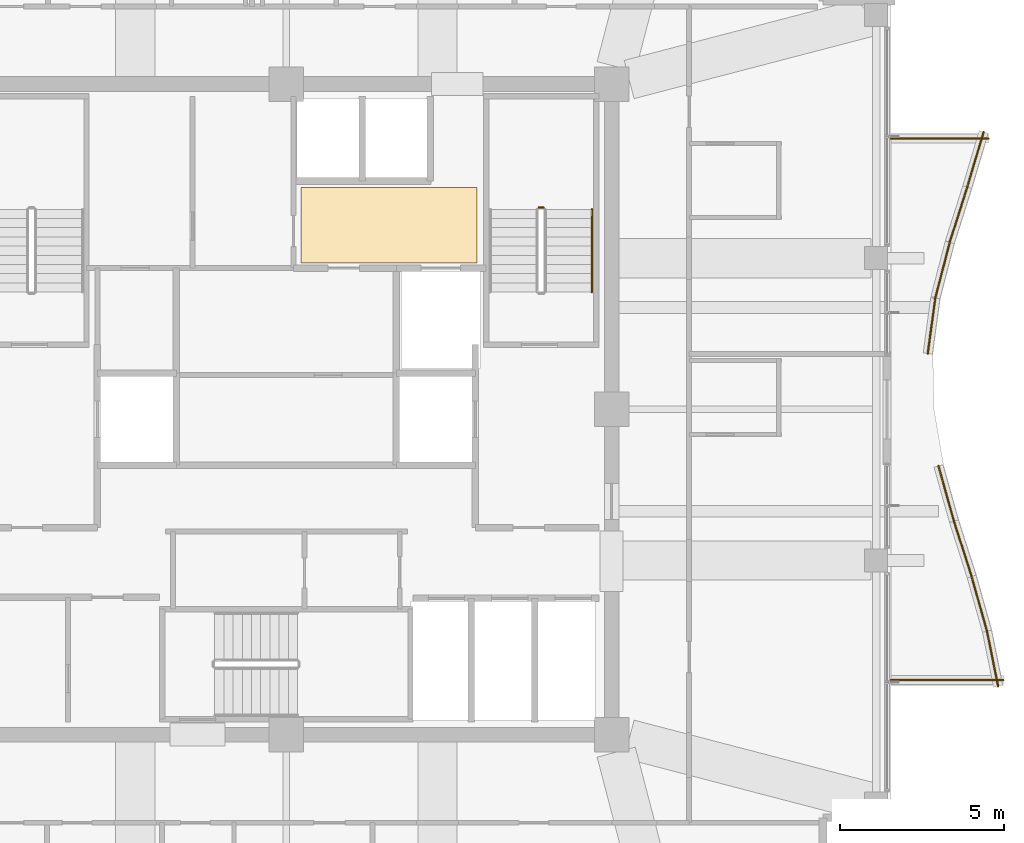
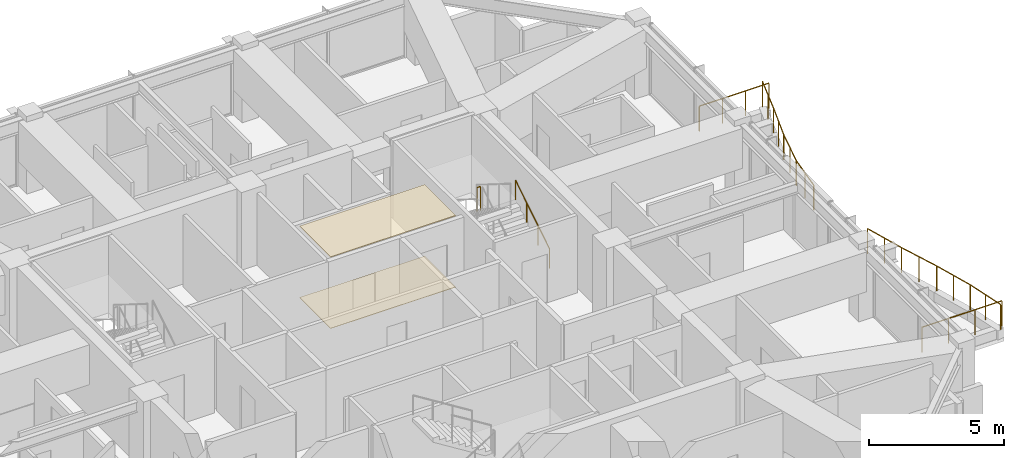
# One storey, part 31 of 31: 12 railings, 2 coverings.
"""IFC4 building model written with IfcOpenShell, lengths in metres."""

import ifcopenshell
import ifcopenshell.guid

model = None  # the IFC model being written
_history = None  # IfcOwnerHistory: only IFC2X3 demands one
_inside = {}  # id of a spatial element -> (the spatial element, [elements in it])
_under = {}  # id of a project, library or spatial element -> (it, [spatial elements below it])
_declared = {}  # id of a project -> (the project, [libraries it declares])
_typed = {}  # id of a type object -> (the type object, [elements of that type])
_made_of = {}  # id of a material, layer set ... -> (it, [elements and type objects made of it])


def new_model(schema):
    """Start an empty IFC model of exactly this schema.

    Asked for "IFC4X3", IfcOpenShell would pick the latest addendum, in which some entities
    have other attributes; the version numbers below select the first issue.
    IFC2X3 requires an IfcOwnerHistory on every rooted entity: one is made here for all.
    """
    global model, _history
    if schema == "IFC4X3":
        model = ifcopenshell.file(schema_version=(4, 3, 0, 0))
    else:
        model = ifcopenshell.file(schema=schema)
    _inside.clear()
    _under.clear()
    _declared.clear()
    _typed.clear()
    _made_of.clear()
    _history = None
    if model.schema == "IFC2X3":
        org = make("IfcOrganization", Name="unknown")
        user = make(
            "IfcPersonAndOrganization",
            ThePerson=make("IfcPerson", FamilyName="unknown"),
            TheOrganization=org,
        )
        app = make(
            "IfcApplication",
            ApplicationDeveloper=org,
            Version="unknown",
            ApplicationFullName="unknown",
            ApplicationIdentifier="unknown",
        )
        _history = make(
            "IfcOwnerHistory",
            OwningUser=user,
            OwningApplication=app,
            ChangeAction="ADDED",
            CreationDate=0,
        )
    return model


def make(cls, **values):
    """One entity of the class cls with the attributes given. An attribute that is None is left unset."""
    return model.create_entity(
        cls, **{name: value for name, value in values.items() if value is not None}
    )


def rooted(cls, **values):
    """An entity with a GlobalId (a new one), such as an element, a storey or a relation."""
    return make(cls, GlobalId=ifcopenshell.guid.new(), OwnerHistory=_history, **values)


def si_unit(unit_type, name, prefix=None):
    """IfcSIUnit, for example si_unit("LENGTHUNIT", "METRE", prefix="MILLI")."""
    return make("IfcSIUnit", UnitType=unit_type, Prefix=prefix, Name=name)


def assignment(units):
    """IfcUnitAssignment: the units of a project."""
    return None if units is None else make("IfcUnitAssignment", Units=units)


def point(xyz):
    """IfcCartesianPoint."""
    return None if xyz is None else make("IfcCartesianPoint", Coordinates=xyz)


def direction(xyz):
    """IfcDirection."""
    return None if xyz is None else make("IfcDirection", DirectionRatios=xyz)


def frame(location, z_axis=None, x_axis=None):
    """IfcAxis2Placement3D, a coordinate frame: its origin and axes. An axis left out is left unset."""
    return make(
        "IfcAxis2Placement3D",
        Location=point(location),
        Axis=direction(z_axis),
        RefDirection=direction(x_axis),
    )


def frame_2d(location, x_axis=None):
    """IfcAxis2Placement2D, a coordinate frame in the plane: its origin and x axis."""
    return make(
        "IfcAxis2Placement2D", Location=point(location), RefDirection=direction(x_axis)
    )


def origin():
    """The frame at (0, 0, 0) with its axes left unset."""
    return frame((0.0, 0.0, 0.0))


def origin_2d():
    """The frame at (0, 0) in the plane with its x axis left unset."""
    return frame_2d((0.0, 0.0))


def place(relative_to, where):
    """IfcLocalPlacement: puts the frame where relative to a parent placement (None: the world)."""
    return make(
        "IfcLocalPlacement", PlacementRelTo=relative_to, RelativePlacement=where
    )


def context(
    kind, dimensions, precision=None, world=None, true_north=None, identifier=None
):
    """IfcGeometricRepresentationContext, for example the 3D "Model" context."""
    return make(
        "IfcGeometricRepresentationContext",
        ContextIdentifier=identifier,
        ContextType=kind,
        CoordinateSpaceDimension=dimensions,
        Precision=precision,
        WorldCoordinateSystem=world,
        TrueNorth=true_north,
    )


def subcontext(parent, identifier, kind, view, scale=None):
    """IfcGeometricRepresentationSubContext, for example "Body" below "Model"."""
    return make(
        "IfcGeometricRepresentationSubContext",
        ContextIdentifier=identifier,
        ContextType=kind,
        ParentContext=parent,
        TargetScale=scale,
        TargetView=view,
    )


def project(units=None, contexts=None):
    """IfcProject with its units and contexts."""
    return rooted(
        "IfcProject",
        Name="project",
        RepresentationContexts=contexts,
        UnitsInContext=assignment(units),
    )


def spatial(cls, under=None, at=None, **own):
    """A site, building, storey or space (cls), placed at a placement, below another one or the project."""
    s = rooted(cls, ObjectPlacement=at, **own)
    if under is not None:
        _under.setdefault(under.id(), (under, []))[1].append(s)
    return s


def polyline(points):
    """IfcPolyline through the points."""
    return make("IfcPolyline", Points=[point(p) for p in points])


def profile(cls, at=None, kind="AREA", **sizes):
    """A parametric profile (cls). Its sizes go by their IFC names, for example OverallWidth=200.0."""
    return make(cls, ProfileType=kind, Position=at, **sizes)


def circle(**sizes):
    """IfcCircleProfileDef."""
    return profile("IfcCircleProfileDef", **sizes)


def outline(outer, holes=None, kind="AREA"):
    """IfcArbitraryClosedProfileDef: a profile drawn as a closed curve; with holes, ...WithVoids."""
    if holes is None:
        return make("IfcArbitraryClosedProfileDef", ProfileType=kind, OuterCurve=outer)
    return make(
        "IfcArbitraryProfileDefWithVoids",
        ProfileType=kind,
        OuterCurve=outer,
        InnerCurves=holes,
    )


def extrude(swept, where, along, depth):
    """IfcExtrudedAreaSolid: the profile swept, set in the frame where, extruded along a direction by depth."""
    return make(
        "IfcExtrudedAreaSolid",
        SweptArea=swept,
        Position=where,
        ExtrudedDirection=direction(along),
        Depth=depth,
    )


def shape(context_of_items, identifier, shape_type, items):
    """IfcShapeRepresentation: the items that make up one representation, for example the "Body"."""
    return make(
        "IfcShapeRepresentation",
        ContextOfItems=context_of_items,
        RepresentationIdentifier=identifier,
        RepresentationType=shape_type,
        Items=items,
    )


def material(Name=None, Category=None):
    """IfcMaterial."""
    return make("IfcMaterial", Name=Name, Category=Category)


def layer(
    of_material, thickness, ventilated=None, Name=None, Category=None, Priority=None
):
    """IfcMaterialLayer: one layer of a wall or slab, of a material (None: an air gap)."""
    return make(
        "IfcMaterialLayer",
        Material=of_material,
        LayerThickness=thickness,
        IsVentilated=ventilated,
        Name=Name,
        Category=Category,
        Priority=Priority,
    )


def layer_set(layers, Name=None):
    """IfcMaterialLayerSet."""
    return make("IfcMaterialLayerSet", MaterialLayers=layers, LayerSetName=Name)


def made_of(thing, what):
    """Note that an element or type object is made of a material, layer set ...; save() writes the relation."""
    if what is not None:
        _made_of.setdefault(what.id(), (what, []))[1].append(thing)
    return thing


def type_object(cls, material=None, **own):
    """A type object (cls), such as IfcWallType, which elements share."""
    return made_of(rooted(cls, **own), material)


def element(
    cls,
    number,
    at=None,
    inside=None,
    cuts=None,
    type_object=None,
    material=None,
    context=None,
    identifier="Body",
    shape_type=None,
    held_by="IfcProductDefinitionShape",
    body=None,
    shapes=None,
    **own,
):
    """One element of the class cls, such as IfcWall. Its Tag is "e" and its number.

    at: its placement. inside: the storey or other place that contains it. cuts: it is an
    opening in that element (IfcRelVoidsElement). A single representation is given by context,
    identifier, shape_type and body (its items); several are given by shapes. held_by: the class
    of the entity that holds the representations. save() writes the other relations.
    """
    e = rooted(cls, Tag="e%d" % number, ObjectPlacement=at, **own)
    if body is not None:
        shapes = [shape(context, identifier, shape_type, body)]
    if shapes is not None:
        e.Representation = make(held_by, Representations=shapes)
    if inside is not None:
        _inside.setdefault(inside.id(), (inside, []))[1].append(e)
    if cuts is not None:
        rooted(
            "IfcRelVoidsElement", RelatingBuildingElement=cuts, RelatedOpeningElement=e
        )
    if type_object is not None:
        _typed.setdefault(type_object.id(), (type_object, []))[1].append(e)
    return made_of(e, material)


def aggregate(whole, parts):
    """IfcRelAggregates: a whole, such as a stair, and the parts it consists of."""
    return rooted("IfcRelAggregates", RelatingObject=whole, RelatedObjects=parts)


def save(model, path):
    """Write the relations noted so far, then the file.

    IfcRelAggregates (storeys below a building ...), IfcRelContainedInSpatialStructure (elements
    in a storey), IfcRelDefinesByType, IfcRelAssociatesMaterial and IfcRelDeclares: one each for
    every whole, place, type object, material and project.
    """
    for whole, parts in _under.values():
        aggregate(whole, parts)
    for where, things in _inside.values():
        rooted(
            "IfcRelContainedInSpatialStructure",
            RelatedElements=things,
            RelatingStructure=where,
        )
    for kind, things in _typed.values():
        rooted("IfcRelDefinesByType", RelatedObjects=things, RelatingType=kind)
    for what, things in _made_of.values():
        rooted("IfcRelAssociatesMaterial", RelatedObjects=things, RelatingMaterial=what)
    for by, libraries in _declared.values():
        rooted("IfcRelDeclares", RelatingContext=by, RelatedDefinitions=libraries)
    model.write(path)


model = new_model("IFC4")

# Units and contexts
model_context = context("Model", 3, precision=1e-05, world=origin(), true_north=direction((0.0, 1.0)))
body_context = subcontext(model_context, "Body", "Model", "MODEL_VIEW")
ifc_project = project(units=[si_unit("LENGTHUNIT", "METRE"), si_unit("AREAUNIT", "SQUARE_METRE"), si_unit("VOLUMEUNIT", "CUBIC_METRE"), si_unit("PLANEANGLEUNIT", "RADIAN"), si_unit("MASSUNIT", "GRAM", prefix="KILO")], contexts=[model_context])

# Site, building, storey
site_placement = place(None, origin())
site = spatial("IfcSite", under=ifc_project, at=site_placement, CompositionType="ELEMENT")
building_placement = place(site_placement, origin())
building = spatial("IfcBuilding", under=site, at=building_placement, Name="Kolvaren Belvedere", CompositionType="ELEMENT")
storey_placement = place(building_placement, frame((0.0, 0.0, 237.39990234375)))
storey = spatial("IfcBuildingStorey", under=building, at=storey_placement, Name="L69", CompositionType="ELEMENT", Elevation=237.39990234375)

# Coverings
ifc_material_1 = material(Name="Acoustic perforated gypsum board", Category="gypsum")
ifc_layer_1 = layer(ifc_material_1, 0.02490234375)
ifc_layer_set_1 = layer_set([ifc_layer_1], Name="Acoustic perforated gypsum board")
covering_type_1 = type_object("IfcCoveringType", Name="COV-CEIL-GYP", PredefinedType="CEILING", material=ifc_layer_set_1)
covering_1_placement = place(storey_placement, frame((0.0, 0.0, 3.22509765625)))
element("IfcCovering", 1, at=covering_1_placement, inside=storey, type_object=covering_type_1, Name="L69 Lift Lobby Acoustic Baffle Ceiling", PredefinedType="CEILING", context=body_context, shape_type="SweptSolid", body=[
    extrude(outline(polyline([(0.449951171875, 4.449951171875), (5.800048828125, 4.449951171875), (5.800048828125, 6.75), (0.449951171875, 6.75), (0.449951171875, 4.449951171875)])), origin(), (0.0, 0.0, 1.0), 0.02490234375),
])
ifc_material_2 = material(Name="Engineered Pacific white oak", Category="timber")
ifc_layer_2 = layer(ifc_material_2, 0.02001953125)
ifc_layer_set_2 = layer_set([ifc_layer_2], Name="Engineered Pacific white oak")
covering_type_2 = type_object("IfcCoveringType", Name="COV-FLR-OAK", PredefinedType="FLOORING", material=ifc_layer_set_2)
covering_2_placement = place(storey_placement, origin())
element("IfcCovering", 2, at=covering_2_placement, inside=storey, type_object=covering_type_2, Name="L69 Lift Lobby Finish Flooring", PredefinedType="FLOORING", context=body_context, shape_type="SweptSolid", body=[
    extrude(outline(polyline([(0.449951171875, 4.449951171875), (5.800048828125, 4.449951171875), (5.800048828125, 6.75), (0.449951171875, 6.75), (0.449951171875, 4.449951171875)])), origin(), (0.0, 0.0, 1.0), 0.02001953125),
])

# Railings
ifc_material_3 = material(Name="Anodised pale-metal aluminium & laminated glass guard", Category="aluminium")
railing_type_1 = type_object("IfcRailingType", Name="RL-GUARD-1150", PredefinedType="GUARDRAIL", material=ifc_material_3)
railing_1_placement = place(storey_placement, frame((21.6630859375, -8.431884765625, 0.35009765625)))
element("IfcRailing", 3, at=railing_1_placement, inside=storey, type_object=railing_type_1, Name="L69 Exterior Deck Safety Guard BAL-E-1", PredefinedType="GUARDRAIL", context=body_context, shape_type="SweptSolid", body=[
    extrude(circle(Radius=0.02392578125, at=origin_2d()), frame((0.0, 0.0, 1.1259765625), z_axis=(-0.198662427795, 0.980067977123, 0.0), x_axis=(-0.980067977123, -0.198662427795, 0.0)), (0.0, 0.0, 1.0), 1.71435546875),
    extrude(circle(Radius=0.02099609375, at=origin_2d()), origin(), (0.0, 0.0, 1.0), 1.101806640625),
    extrude(circle(Radius=0.02099609375, at=origin_2d()), frame((-0.17041015625, 0.840087890625, 0.0)), (0.0, 0.0, 1.0), 1.101806640625),
    extrude(circle(Radius=0.02099609375, at=origin_2d()), frame((-0.340576171875, 1.68017578125, 0.0)), (0.0, 0.0, 1.0), 1.101806640625),
])
railing_2_placement = place(storey_placement, frame((21.3251953125, -6.76318359375, 0.35009765625)))
element("IfcRailing", 4, at=railing_2_placement, inside=storey, type_object=railing_type_1, Name="L69 Exterior Deck Safety Guard BAL-E-2", PredefinedType="GUARDRAIL", context=body_context, shape_type="SweptSolid", body=[
    extrude(circle(Radius=0.02392578125, at=origin_2d()), frame((0.0, 0.0, 1.1259765625), z_axis=(-0.269801210823, 0.962916043401, 0.0), x_axis=(-0.962916043401, -0.269801210823, 0.0)), (0.0, 0.0, 1.0), 1.74462890625),
    extrude(circle(Radius=0.02099609375, at=origin_2d()), origin(), (0.0, 0.0, 1.0), 1.101806640625),
    extrude(circle(Radius=0.02099609375, at=origin_2d()), frame((-0.2353515625, 0.83984375, 0.0)), (0.0, 0.0, 1.0), 1.101806640625),
    extrude(circle(Radius=0.02099609375, at=origin_2d()), frame((-0.470703125, 1.679931640625, 0.0)), (0.0, 0.0, 1.0), 1.101806640625),
])
railing_3_placement = place(storey_placement, frame((20.856201171875, -5.088623046875, 0.35009765625)))
element("IfcRailing", 5, at=railing_3_placement, inside=storey, type_object=railing_type_1, Name="L69 Exterior Deck Safety Guard BAL-E-3", PredefinedType="GUARDRAIL", context=body_context, shape_type="SweptSolid", body=[
    extrude(circle(Radius=0.02392578125, at=origin_2d()), frame((0.0, 0.0, 1.1259765625), z_axis=(-0.304534629099, 0.952501264923, 0.0), x_axis=(-0.952501264923, -0.304534629099, 0.0)), (0.0, 0.0, 1.0), 1.763671875),
    extrude(circle(Radius=0.02099609375, at=origin_2d()), origin(), (0.0, 0.0, 1.0), 1.101806640625),
    extrude(circle(Radius=0.02099609375, at=origin_2d()), frame((-0.2685546875, 0.83984375, 0.0)), (0.0, 0.0, 1.0), 1.101806640625),
    extrude(circle(Radius=0.02099609375, at=origin_2d()), frame((-0.537109375, 1.679931640625, 0.0)), (0.0, 0.0, 1.0), 1.101806640625),
])
railing_4_placement = place(storey_placement, frame((20.3173828125, -3.4033203125, 0.35009765625)))
element("IfcRailing", 6, at=railing_4_placement, inside=storey, type_object=railing_type_1, Name="L69 Exterior Deck Safety Guard BAL-E-4", PredefinedType="GUARDRAIL", context=body_context, shape_type="SweptSolid", body=[
    extrude(circle(Radius=0.02392578125, at=origin_2d()), frame((0.0, 0.0, 1.1259765625), z_axis=(-0.269764860108, 0.962926227834, 0.0), x_axis=(-0.962926227834, -0.269764860108, 0.0)), (0.0, 0.0, 1.0), 1.744873046875),
    extrude(circle(Radius=0.02099609375, at=origin_2d()), origin(), (0.0, 0.0, 1.0), 1.101806640625),
    extrude(circle(Radius=0.02099609375, at=origin_2d()), frame((-0.2353515625, 0.840087890625, 0.0)), (0.0, 0.0, 1.0), 1.101806640625),
    extrude(circle(Radius=0.02099609375, at=origin_2d()), frame((-0.470703125, 1.68017578125, 0.0)), (0.0, 0.0, 1.0), 1.101806640625),
])
railing_5_placement = place(storey_placement, frame((19.5205078125, 1.70166015625, 0.35009765625)))
element("IfcRailing", 7, at=railing_5_placement, inside=storey, type_object=railing_type_1, Name="L69 Exterior Deck Safety Guard BAL-E-7", PredefinedType="GUARDRAIL", context=body_context, shape_type="SweptSolid", body=[
    extrude(circle(Radius=0.02392578125, at=origin_2d()), frame((0.0, 0.0, 1.1259765625), z_axis=(0.134926850989, 0.990855562068, 0.0), x_axis=(-0.990855562068, 0.134926850989, 0.0)), (0.0, 0.0, 1.0), 1.695556640625),
    extrude(circle(Radius=0.02099609375, at=origin_2d()), origin(), (0.0, 0.0, 1.0), 1.101806640625),
    extrude(circle(Radius=0.02099609375, at=origin_2d()), frame((0.1142578125, 0.83984375, 0.0)), (0.0, 0.0, 1.0), 1.101806640625),
    extrude(circle(Radius=0.02099609375, at=origin_2d()), frame((0.228759765625, 1.679931640625, 0.0)), (0.0, 0.0, 1.0), 1.101806640625),
])
railing_6_placement = place(storey_placement, frame((19.7529296875, 3.400146484375, 0.35009765625)))
element("IfcRailing", 8, at=railing_6_placement, inside=storey, type_object=railing_type_1, Name="L69 Exterior Deck Safety Guard BAL-E-8", PredefinedType="GUARDRAIL", context=body_context, shape_type="SweptSolid", body=[
    extrude(circle(Radius=0.02392578125, at=origin_2d()), frame((0.0, 0.0, 1.1259765625), z_axis=(0.250439664624, 0.968132209145, 0.0), x_axis=(-0.968132209145, 0.250439664624, 0.0)), (0.0, 0.0, 1.0), 1.7353515625),
    extrude(circle(Radius=0.02099609375, at=origin_2d()), origin(), (0.0, 0.0, 1.0), 1.101806640625),
    extrude(circle(Radius=0.02099609375, at=origin_2d()), frame((0.21728515625, 0.83984375, 0.0)), (0.0, 0.0, 1.0), 1.101806640625),
    extrude(circle(Radius=0.02099609375, at=origin_2d()), frame((0.4345703125, 1.679931640625, 0.0)), (0.0, 0.0, 1.0), 1.101806640625),
])
railing_7_placement = place(storey_placement, frame((20.18994140625, 5.08837890625, 0.35009765625)))
element("IfcRailing", 9, at=railing_7_placement, inside=storey, type_object=railing_type_1, Name="L69 Exterior Deck Safety Guard BAL-E-9", PredefinedType="GUARDRAIL", context=body_context, shape_type="SweptSolid", body=[
    extrude(circle(Radius=0.02392578125, at=origin_2d()), frame((0.0, 0.0, 1.1259765625), z_axis=(0.302397356111, 0.953181954832, 0.0), x_axis=(-0.953181954832, 0.302397356111, 0.0)), (0.0, 0.0, 1.0), 1.762451171875),
    extrude(circle(Radius=0.02099609375, at=origin_2d()), origin(), (0.0, 0.0, 1.0), 1.101806640625),
    extrude(circle(Radius=0.02099609375, at=origin_2d()), frame((0.2666015625, 0.83984375, 0.0)), (0.0, 0.0, 1.0), 1.101806640625),
    extrude(circle(Radius=0.02099609375, at=origin_2d()), frame((0.532958984375, 1.679931640625, 0.0)), (0.0, 0.0, 1.0), 1.101806640625),
])
railing_8_placement = place(storey_placement, frame((20.721923828125, 6.765625, 0.35009765625)))
element("IfcRailing", 10, at=railing_8_placement, inside=storey, type_object=railing_type_1, Name="L69 Exterior Deck Safety Guard BAL-E-10", PredefinedType="GUARDRAIL", context=body_context, shape_type="SweptSolid", body=[
    extrude(circle(Radius=0.02392578125, at=origin_2d()), frame((0.0, 0.0, 1.1259765625), z_axis=(0.28500831833, 0.958525043221, 0.0), x_axis=(-0.958525043221, 0.28500831833, 0.0)), (0.0, 0.0, 1.0), 1.752685546875),
    extrude(circle(Radius=0.02099609375, at=origin_2d()), origin(), (0.0, 0.0, 1.0), 1.101806640625),
    extrude(circle(Radius=0.02099609375, at=origin_2d()), frame((0.249755859375, 0.83984375, 0.0)), (0.0, 0.0, 1.0), 1.101806640625),
    extrude(circle(Radius=0.02099609375, at=origin_2d()), frame((0.49951171875, 1.679931640625, 0.0)), (0.0, 0.0, 1.0), 1.101806640625),
])
railing_9_placement = place(storey_placement, frame((21.374755859375, 8.239990234375, 0.35009765625)))
element("IfcRailing", 11, at=railing_9_placement, inside=storey, type_object=railing_type_1, Name="L69 Exterior Deck Safety Guard BAL-E-11", PredefinedType="GUARDRAIL", context=body_context, shape_type="SweptSolid", body=[
    extrude(circle(Radius=0.02392578125, at=origin_2d()), frame((0.0, 0.0, 1.1259765625), z_axis=(-1.0, 0.0, 0.0), x_axis=(0.0, -1.0, 0.0)), (0.0, 0.0, 1.0), 2.974853515625),
    extrude(circle(Radius=0.02099609375, at=origin_2d()), origin(), (0.0, 0.0, 1.0), 1.101806640625),
    extrude(circle(Radius=0.02099609375, at=origin_2d()), frame((-0.99169921875, 0.0, 0.0)), (0.0, 0.0, 1.0), 1.101806640625),
    extrude(circle(Radius=0.02099609375, at=origin_2d()), frame((-1.983154296875, 0.0, 0.0)), (0.0, 0.0, 1.0), 1.101806640625),
    extrude(circle(Radius=0.02099609375, at=origin_2d()), frame((-2.974853515625, 0.0, 0.0)), (0.0, 0.0, 1.0), 1.101806640625),
])
railing_10_placement = place(storey_placement, frame((18.39990234375, -8.239990234375, 0.35009765625)))
element("IfcRailing", 12, at=railing_10_placement, inside=storey, type_object=railing_type_1, Name="L69 Exterior Deck Safety Guard BAL-E-22", PredefinedType="GUARDRAIL", context=body_context, shape_type="SweptSolid", body=[
    extrude(circle(Radius=0.02392578125, at=origin_2d()), frame((0.0, 0.0, 1.1259765625), z_axis=(1.0, 0.0, 0.0), x_axis=(0.0, 1.0, 0.0)), (0.0, 0.0, 1.0), 3.420166015625),
    extrude(circle(Radius=0.02099609375, at=origin_2d()), origin(), (0.0, 0.0, 1.0), 1.101806640625),
    extrude(circle(Radius=0.02099609375, at=origin_2d()), frame((1.14013671875, 0.0, 0.0)), (0.0, 0.0, 1.0), 1.101806640625),
    extrude(circle(Radius=0.02099609375, at=origin_2d()), frame((2.280029296875, 0.0, 0.0)), (0.0, 0.0, 1.0), 1.101806640625),
    extrude(circle(Radius=0.02099609375, at=origin_2d()), frame((3.420166015625, 0.0, 0.0)), (0.0, 0.0, 1.0), 1.101806640625),
])
ifc_material_4 = material(Name="Brushed stainless-steel handrail", Category="steel")
railing_type_2 = type_object("IfcRailingType", Name="RL-HANDRAIL-920", PredefinedType="HANDRAIL", material=ifc_material_4)
railing_11_placement = place(storey_placement, frame((9.300048828125, 3.570068359375, 0.175048828125)))
element("IfcRailing", 13, at=railing_11_placement, inside=storey, type_object=railing_type_2, Name="L69 ST-2 stair handrail 1", PredefinedType="HANDRAIL", context=body_context, shape_type="SweptSolid", body=[
    extrude(circle(Radius=0.02392578125, at=origin_2d()), frame((0.0, 0.0, 0.8759765625), z_axis=(0.0, 0.848007534815, 0.529984170421), x_axis=(-1.0, 0.0, 0.0)), (0.0, 0.0, 1.0), 2.9716796875),
    extrude(circle(Radius=0.02099609375, at=origin_2d()), origin(), (0.0, 0.0, 1.0), 0.851806640625),
    extrude(circle(Radius=0.02099609375, at=origin_2d()), frame((0.0, 0.840087890625, 0.52490234375)), (0.0, 0.0, 1.0), 0.851806640625),
    extrude(circle(Radius=0.02099609375, at=origin_2d()), frame((0.0, 1.679931640625, 1.050048828125)), (0.0, 0.0, 1.0), 0.851806640625),
    extrude(circle(Radius=0.02099609375, at=origin_2d()), frame((0.0, 2.52001953125, 1.574951171875)), (0.0, 0.0, 1.0), 0.851806640625),
])
ifc_material_5 = material(Name="Painted tubular steel stair guard", Category="steel")
railing_type_3 = type_object("IfcRailingType", Name="RL-STGUARD-1100", PredefinedType="GUARDRAIL", material=ifc_material_5)
railing_12_placement = place(storey_placement, frame((7.830078125, 6.139892578125, 1.75)))
element("IfcRailing", 14, at=railing_12_placement, inside=storey, type_object=railing_type_3, Name="L69 ST-2 stair guard 2", PredefinedType="GUARDRAIL", context=body_context, shape_type="SweptSolid", body=[
    extrude(circle(Radius=0.02392578125, at=origin_2d()), frame((0.0, 0.0, 1.076171875), z_axis=(-1.0, 0.0, 0.0), x_axis=(0.0, -1.0, 0.0)), (0.0, 0.0, 1.0), 0.150146484375),
    extrude(circle(Radius=0.02099609375, at=origin_2d()), origin(), (0.0, 0.0, 1.0), 1.052001953125),
    extrude(circle(Radius=0.02099609375, at=origin_2d()), frame((-0.150146484375, 0.0, 0.0)), (0.0, 0.0, 1.0), 1.052001953125),
])

save(model, "model.ifc")
